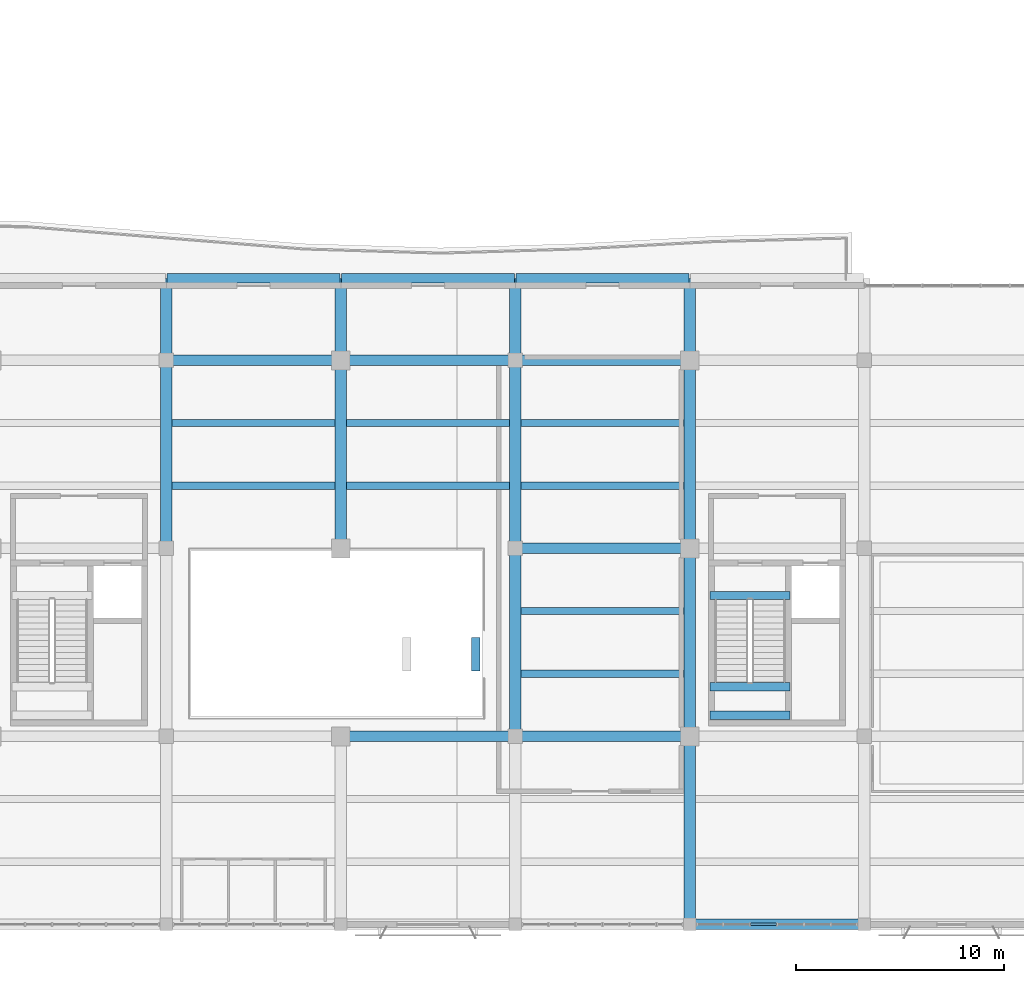
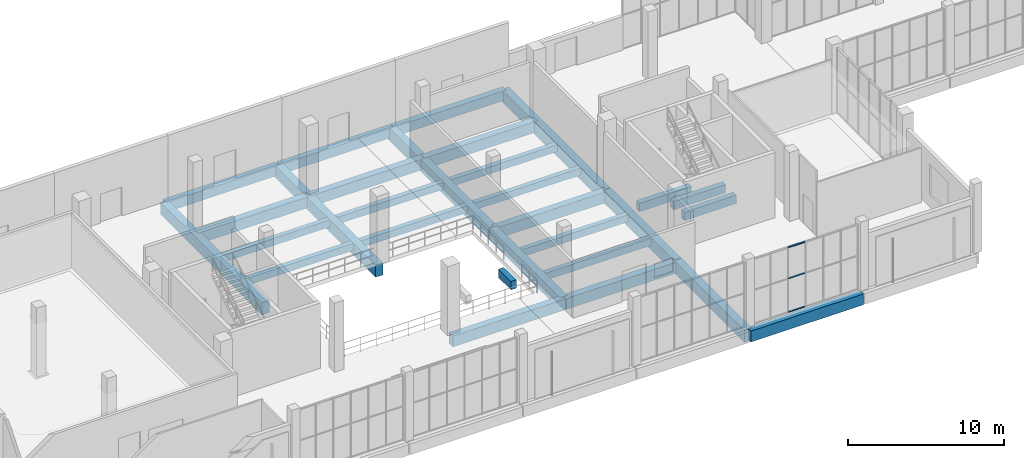
# One storey, part 31 of 132: 29 beams, 3 members, 1 element without a shape of its own.
"""IFC4 building model written with IfcOpenShell, lengths in metres."""

from ifc_helpers import new_model, si_unit, direction, frame, origin, origin_2d, place, context, subcontext, project, spatial, rectangle, hollow_rectangle, extrude, material, material_profile, profile_set, type_object, element, aggregate, save


model = new_model("IFC4")

# Units and contexts
model_context = context("Model", 3, precision=1e-05, world=origin(), true_north=direction((0.0, 1.0)))
body_context = subcontext(model_context, "Body", "Model", "MODEL_VIEW")
ifc_project = project(units=[si_unit("LENGTHUNIT", "METRE"), si_unit("AREAUNIT", "SQUARE_METRE"), si_unit("VOLUMEUNIT", "CUBIC_METRE"), si_unit("PLANEANGLEUNIT", "RADIAN"), si_unit("MASSUNIT", "GRAM", prefix="KILO")], contexts=[model_context])

# Site, building, storey
site_placement = place(None, origin())
site = spatial("IfcSite", under=ifc_project, at=site_placement, CompositionType="ELEMENT")
building_placement = place(site_placement, origin())
building = spatial("IfcBuilding", under=site, at=building_placement, Name="Khurvash Pelagic Aquarium", CompositionType="ELEMENT")
storey_placement = place(building_placement, frame((0.0, 0.0, 5.39990234375)))
storey = spatial("IfcBuildingStorey", under=building, at=storey_placement, Name="L01", CompositionType="ELEMENT", Elevation=5.39990234375)

# Beams
ifc_material_1 = material(Name="Concrete C40/50", Category="concrete")
ifc_material_profile_1 = material_profile(ifc_material_1, rectangle(XDim=0.550048828125, YDim=0.949951171875, at=origin_2d()), Name="RC550X950")
ifc_profile_set_1 = profile_set([ifc_material_profile_1], Name="Concrete C40/50")
beam_type_1 = type_object("IfcBeamType", Name="BM-02", PredefinedType="BEAM", material=ifc_profile_set_1)
for number, where, z_axis, x_axis, name in (
    (1, (67.199951171875, 20.739990234375, -0.794921875), (0.0, 1.0, 0.0), (-1.0, 0.0, 0.0), "L01 Primary Girder BM-02 00395"),
    (2, (75.60009765625, 20.739990234375, -0.794921875), (0.0, 1.0, 0.0), (-1.0, 0.0, 0.0), "L01 Primary Girder BM-02 00399"),
):
    element("IfcBeam", number, at=place(storey_placement, frame(where, z_axis=z_axis, x_axis=x_axis)), inside=storey, type_object=beam_type_1, Name=name, PredefinedType="BEAM", context=body_context, shape_type="SweptSolid", body=[
        extrude(rectangle(XDim=0.550048828125, YDim=0.949951171875, at=origin_2d()), origin(), (0.0, 0.0, 1.0), 12.9599609375),
    ])
beam_1_placement = place(storey_placement, frame((84.0, 11.68994140625, -0.784912109375), z_axis=(0.0, 1.0, 0.0), x_axis=(-1.0, 0.0, 0.0)))
element("IfcBeam", 3, at=beam_1_placement, inside=storey, type_object=beam_type_1, Name="L01 Primary Girder BM-02 00403", PredefinedType="BEAM", context=body_context, shape_type="SweptSolid", body=[
    extrude(rectangle(XDim=0.550048828125, YDim=0.949951171875, at=origin_2d()), origin(), (0.0, 0.0, 1.0), 8.969970703125),
])
beam_2_placement = place(storey_placement, frame((84.0, 20.739990234375, -0.794921875), z_axis=(0.0, 1.0, 0.0), x_axis=(-1.0, 0.0, 0.0)))
element("IfcBeam", 4, at=beam_2_placement, inside=storey, type_object=beam_type_1, Name="L01 Primary Girder BM-02 00404", PredefinedType="BEAM", context=body_context, shape_type="SweptSolid", body=[
    extrude(rectangle(XDim=0.550048828125, YDim=0.949951171875, at=origin_2d()), origin(), (0.0, 0.0, 1.0), 12.9599609375),
])
beam_3_placement = place(storey_placement, frame((92.39990234375, 2.639892578125, -0.784912109375), z_axis=(0.0, 1.0, 0.0), x_axis=(-1.0, 0.0, 0.0)))
element("IfcBeam", 5, at=beam_3_placement, inside=storey, type_object=beam_type_1, Name="L01 Primary Girder BM-02 00407", PredefinedType="BEAM", context=body_context, shape_type="SweptSolid", body=[
    extrude(rectangle(XDim=0.550048828125, YDim=0.949951171875, at=origin_2d()), origin(), (0.0, 0.0, 1.0), 8.97021484375),
])
beam_4_placement = place(storey_placement, frame((92.39990234375, 11.68994140625, -0.784912109375), z_axis=(0.0, 1.0, 0.0), x_axis=(-1.0, 0.0, 0.0)))
element("IfcBeam", 6, at=beam_4_placement, inside=storey, type_object=beam_type_1, Name="L01 Primary Girder BM-02 00408", PredefinedType="BEAM", context=body_context, shape_type="SweptSolid", body=[
    extrude(rectangle(XDim=0.550048828125, YDim=0.949951171875, at=origin_2d()), origin(), (0.0, 0.0, 1.0), 8.969970703125),
])
beam_5_placement = place(storey_placement, frame((92.39990234375, 20.739990234375, -0.794921875), z_axis=(0.0, 1.0, 0.0), x_axis=(-1.0, 0.0, 0.0)))
element("IfcBeam", 7, at=beam_5_placement, inside=storey, type_object=beam_type_1, Name="L01 Primary Girder BM-02 00409", PredefinedType="BEAM", context=body_context, shape_type="SweptSolid", body=[
    extrude(rectangle(XDim=0.550048828125, YDim=0.949951171875, at=origin_2d()), origin(), (0.0, 0.0, 1.0), 12.9599609375),
])
ifc_material_profile_2 = material_profile(ifc_material_1, rectangle(XDim=0.5, YDim=0.85009765625, at=origin_2d()), Name="RC500X850")
ifc_profile_set_2 = profile_set([ifc_material_profile_2], Name="Concrete C40/50")
beam_type_2 = type_object("IfcBeamType", Name="BM-03", PredefinedType="BEAM", material=ifc_profile_set_2)
for number, where, z_axis, x_axis, name in (
    (8, (75.639892578125, 11.64990234375, -0.744873046875), (1.0, 0.0, 0.0), (0.0, 1.0, 0.0), "L01 Primary Girder BM-03 00257"),
    (9, (84.0400390625, 11.64990234375, -0.744873046875), (1.0, 0.0, 0.0), (0.0, 1.0, 0.0), "L01 Primary Girder BM-03 00258"),
    (10, (84.0400390625, 20.699951171875, -0.744873046875), (1.0, 0.0, 0.0), (0.0, 1.0, 0.0), "L01 Primary Girder BM-03 00266"),
    (11, (67.239990234375, 29.75, -0.744873046875), (1.0, 0.0, 0.0), (0.0, 1.0, 0.0), "L01 Primary Girder BM-03 00282"),
    (12, (75.639892578125, 29.75, -0.744873046875), (1.0, 0.0, 0.0), (0.0, 1.0, 0.0), "L01 Primary Girder BM-03 00283"),
    (13, (84.0400390625, 29.75, -0.744873046875), (1.0, 0.0, 0.0), (0.0, 1.0, 0.0), "L01 Primary Girder BM-03 00284"),
):
    element("IfcBeam", number, at=place(storey_placement, frame(where, z_axis=z_axis, x_axis=x_axis)), inside=storey, type_object=beam_type_2, Name=name, PredefinedType="BEAM", context=body_context, shape_type="SweptSolid", body=[
        extrude(rectangle(XDim=0.5, YDim=0.85009765625, at=origin_2d()), origin(), (0.0, 0.0, 1.0), 8.320068359375),
    ])
ifc_material_2 = material(Name="Concrete C35/45", Category="concrete")
ifc_material_profile_3 = material_profile(ifc_material_2, rectangle(XDim=0.449951171875, YDim=0.75, at=origin_2d()), Name="RC450X750")
ifc_profile_set_3 = profile_set([ifc_material_profile_3], Name="Concrete C35/45")
beam_type_3 = type_object("IfcBeamType", Name="BM-04", PredefinedType="BEAM", material=ifc_profile_set_3)
for number, where, z_axis, x_axis, name in (
    (14, (67.239990234375, 33.699951171875, -0.69482421875), (1.0, 0.0, 0.0), (0.0, 1.0, 0.0), "L01 Terrace Edge Trimmer Beam BM-04"),
    (15, (75.639892578125, 33.699951171875, -0.69482421875), (1.0, 0.0, 0.0), (0.0, 1.0, 0.0), "L01 Terrace Edge Trimmer Beam BM-04"),
    (16, (84.0400390625, 33.699951171875, -0.69482421875), (1.0, 0.0, 0.0), (0.0, 1.0, 0.0), "L01 Terrace Edge Trimmer Beam BM-04"),
):
    element("IfcBeam", number, at=place(storey_placement, frame(where, z_axis=z_axis, x_axis=x_axis)), inside=storey, type_object=beam_type_3, Name=name, PredefinedType="BEAM", context=body_context, shape_type="SweptSolid", body=[
        extrude(rectangle(XDim=0.449951171875, YDim=0.75, at=origin_2d()), origin(), (0.0, 0.0, 1.0), 8.320068359375),
    ])
ifc_material_profile_4 = material_profile(ifc_material_2, rectangle(XDim=0.39990234375, YDim=0.64990234375, at=origin_2d()), Name="RC400X650")
ifc_profile_set_4 = profile_set([ifc_material_profile_4], Name="Concrete C35/45")
beam_type_4 = type_object("IfcBeamType", Name="BM-05", PredefinedType="BEAM", material=ifc_profile_set_4)
for number, where, z_axis, x_axis, name in (
    (17, (93.3798828125, 18.429931640625, -0.635009765625), (1.0, 0.0, 0.0), (0.0, 1.0, 0.0), "L01 Stair ST-03 Header Trimmer Beam BM-05"),
    (18, (93.3798828125, 12.669921875, 2.175048828125), (1.0, 0.0, 0.0), (0.0, 1.0, 0.0), "L01 Stair ST-03 Mid-Landing Trimmer Beam BM-05"),
    (19, (93.3798828125, 14.0400390625, 2.175048828125), (1.0, 0.0, 0.0), (0.0, 1.0, 0.0), "L01 Stair ST-03 Mid-Landing Trimmer Beam BM-05"),
):
    element("IfcBeam", number, at=place(storey_placement, frame(where, z_axis=z_axis, x_axis=x_axis)), inside=storey, type_object=beam_type_4, Name=name, PredefinedType="BEAM", context=body_context, shape_type="SweptSolid", body=[
        extrude(rectangle(XDim=0.39990234375, YDim=0.64990234375, at=origin_2d()), origin(), (0.0, 0.0, 1.0), 3.840087890625),
    ])
beam_6_placement = place(storey_placement, frame((82.10009765625, 14.800048828125, -0.625), z_axis=(0.0, 1.0, 0.0), x_axis=(-1.0, 0.0, 0.0)))
element("IfcBeam", 20, at=beam_6_placement, inside=storey, type_object=beam_type_4, Name="Foyer Feature Stair ST-07 Trimmer Beam BM-05", PredefinedType="BEAM", context=body_context, shape_type="SweptSolid", body=[
    extrude(rectangle(XDim=0.39990234375, YDim=0.64990234375, at=origin_2d()), origin(), (0.0, 0.0, 1.0), 1.599853515625),
])

# Curtain wall, members
ifc_material_3 = material(Name="Anodised aluminium and low-E laminated glass", Category="aluminium")
curtain_wall_type = type_object("IfcCurtainWallType", Name="CW-05", PredefinedType="USERDEFINED", material=ifc_material_3)
curtain_wall_placement = place(storey_placement, origin())
curtain_wall = element("IfcCurtainWall", 21, at=curtain_wall_placement, inside=storey, type_object=curtain_wall_type, Name="L01 Facade Unitised Curtain Wall CW-05 0107", ObjectType="UNITISED CURTAIN WALL", PredefinedType="USERDEFINED")
ifc_material_4 = material(Name="Extruded aluminium AW-6063-T6", Category="aluminium")
ifc_material_profile_5 = material_profile(ifc_material_4, hollow_rectangle(XDim=0.1201171875, YDim=0.06005859375, WallThickness=0.00390625, at=origin_2d()), Name="CWT120X60X4")
ifc_profile_set_5 = profile_set([ifc_material_profile_5], Name="Extruded aluminium AW-6063-T6")
member_type = type_object("IfcMemberType", Name="CT-02", PredefinedType="USERDEFINED", material=ifc_profile_set_5)
member_1_placement = place(storey_placement, frame((95.331787109375, 2.60009765625, 0.030029296875), z_axis=(1.0, 0.0, 0.0), x_axis=(0.0, 1.0, 0.0)))
member_1 = element("IfcMember", 22, at=member_1_placement, type_object=member_type, Name="CW-05 transom 3.1", ObjectType="TRANSOM", PredefinedType="USERDEFINED", context=body_context, shape_type="SweptSolid", body=[
    extrude(hollow_rectangle(XDim=0.1201171875, YDim=0.06005859375, WallThickness=0.00390625, at=origin_2d()), origin(), (0.0, 0.0, 1.0), 1.23828125),
])
member_2_placement = place(storey_placement, frame((95.331787109375, 2.60009765625, 2.652099609375), z_axis=(1.0, 0.0, 0.0), x_axis=(0.0, 1.0, 0.0)))
member_2 = element("IfcMember", 23, at=member_2_placement, type_object=member_type, Name="CW-05 transom 3.2", ObjectType="TRANSOM", PredefinedType="USERDEFINED", context=body_context, shape_type="SweptSolid", body=[
    extrude(hollow_rectangle(XDim=0.1201171875, YDim=0.06005859375, WallThickness=0.00390625, at=origin_2d()), origin(), (0.0, 0.0, 1.0), 1.23828125),
])
member_3_placement = place(storey_placement, frame((95.331787109375, 2.60009765625, 5.070068359375), z_axis=(1.0, 0.0, 0.0), x_axis=(0.0, 1.0, 0.0)))
member_3 = element("IfcMember", 24, at=member_3_placement, type_object=member_type, Name="CW-05 transom 3.3", ObjectType="TRANSOM", PredefinedType="USERDEFINED", context=body_context, shape_type="SweptSolid", body=[
    extrude(hollow_rectangle(XDim=0.1201171875, YDim=0.06005859375, WallThickness=0.00390625, at=origin_2d()), origin(), (0.0, 0.0, 1.0), 1.23828125),
])
aggregate(curtain_wall, [member_1, member_2, member_3])

# Beams
ifc_material_profile_6 = material_profile(ifc_material_2, rectangle(XDim=0.35009765625, YDim=0.550048828125, at=origin_2d()), Name="RC350X550")
ifc_profile_set_6 = profile_set([ifc_material_profile_6], Name="Concrete C35/45")
beam_type_5 = type_object("IfcBeamType", Name="JS-01", PredefinedType="JOIST", material=ifc_profile_set_6)
for number, where, z_axis, x_axis, name in (
    (25, (67.47509765625, 23.717041015625, -0.5849609375), (1.0, 0.0, 0.0), (0.0, 1.0, 0.0), "L01 Floor Joist JS-01 00510"),
    (26, (67.47509765625, 26.73291015625, -0.5849609375), (1.0, 0.0, 0.0), (0.0, 1.0, 0.0), "L01 Floor Joist JS-01 00511"),
):
    element("IfcBeam", number, at=place(storey_placement, frame(where, z_axis=z_axis, x_axis=x_axis)), inside=storey, type_object=beam_type_5, Name=name, PredefinedType="JOIST", context=body_context, shape_type="SweptSolid", body=[
        extrude(rectangle(XDim=0.35009765625, YDim=0.550048828125, at=origin_2d()), origin(), (0.0, 0.0, 1.0), 7.849853515625),
    ])
for number, where, z_axis, x_axis, name in (
    (27, (75.875, 23.717041015625, -0.5849609375), (1.0, 0.0, 0.0), (0.0, 1.0, 0.0), "L01 Floor Joist JS-01 00516"),
    (28, (75.875, 26.73291015625, -0.5849609375), (1.0, 0.0, 0.0), (0.0, 1.0, 0.0), "L01 Floor Joist JS-01 00517"),
    (29, (84.27490234375, 14.6669921875, -0.5849609375), (1.0, 0.0, 0.0), (0.0, 1.0, 0.0), "L01 Floor Joist JS-01 00524"),
    (30, (84.27490234375, 17.68310546875, -0.5849609375), (1.0, 0.0, 0.0), (0.0, 1.0, 0.0), "L01 Floor Joist JS-01 00525"),
    (31, (84.27490234375, 23.717041015625, -0.5849609375), (1.0, 0.0, 0.0), (0.0, 1.0, 0.0), "L01 Floor Joist JS-01 00526"),
    (32, (84.27490234375, 26.73291015625, -0.5849609375), (1.0, 0.0, 0.0), (0.0, 1.0, 0.0), "L01 Floor Joist JS-01 00527"),
):
    element("IfcBeam", number, at=place(storey_placement, frame(where, z_axis=z_axis, x_axis=x_axis)), inside=storey, type_object=beam_type_5, Name=name, PredefinedType="JOIST", context=body_context, shape_type="SweptSolid", body=[
        extrude(rectangle(XDim=0.35009765625, YDim=0.550048828125, at=origin_2d()), origin(), (0.0, 0.0, 1.0), 7.85009765625),
    ])
ifc_material_profile_7 = material_profile(ifc_material_1, rectangle(XDim=0.5, YDim=0.85009765625, at=origin_2d()), Name="RC500X850")
ifc_profile_set_7 = profile_set([ifc_material_profile_7], Name="Concrete C40/50")
beam_type_6 = type_object("IfcBeamType", Name="SEB-03", PredefinedType="SPANDREL", material=ifc_profile_set_7)
beam_7_placement = place(storey_placement, frame((92.43994140625, 2.60009765625, -0.744873046875), z_axis=(1.0, 0.0, 0.0), x_axis=(0.0, 1.0, 0.0)))
element("IfcBeam", 33, at=beam_7_placement, inside=storey, type_object=beam_type_6, Name="L01 Primary Girder SEB-03 00249", PredefinedType="SPANDREL", context=body_context, shape_type="SweptSolid", body=[
    extrude(rectangle(XDim=0.5, YDim=0.85009765625, at=origin_2d()), origin(), (0.0, 0.0, 1.0), 8.320068359375),
])

save(model, "model.ifc")
